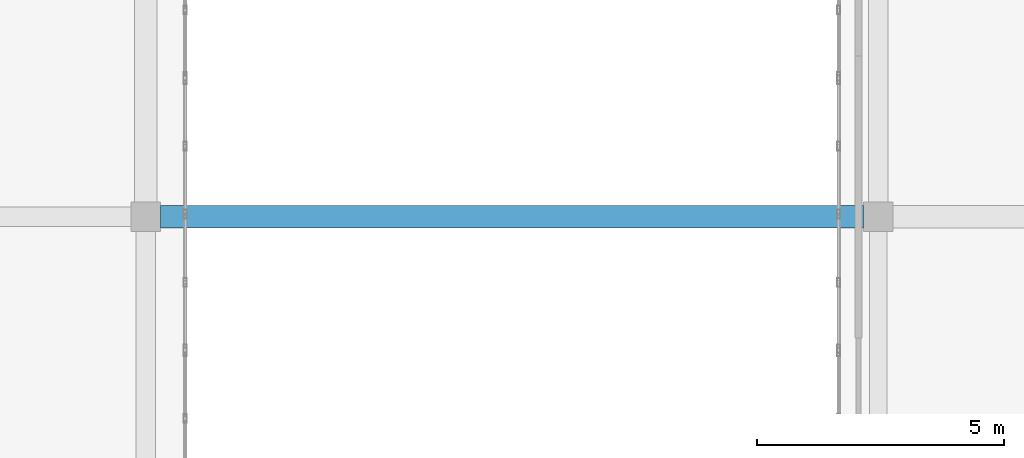
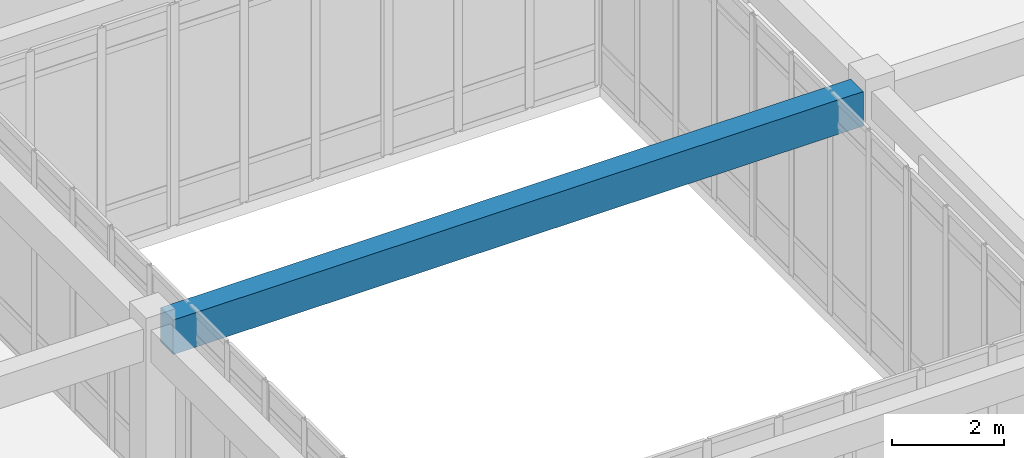
# One storey, part 52 of 121: 1 beam.
"""IFC4 building model written with IfcOpenShell, lengths in metres."""

from ifc_helpers import new_model, si_unit, direction, frame, origin, origin_2d, place, context, subcontext, project, spatial, rectangle, extrude, material, material_profile, profile_set, type_object, element, save


model = new_model("IFC4")

# Units and contexts
model_context = context("Model", 3, precision=1e-05, world=origin(), true_north=direction((0.0, 1.0)))
body_context = subcontext(model_context, "Body", "Model", "MODEL_VIEW")
ifc_project = project(units=[si_unit("LENGTHUNIT", "METRE"), si_unit("AREAUNIT", "SQUARE_METRE"), si_unit("VOLUMEUNIT", "CUBIC_METRE"), si_unit("PLANEANGLEUNIT", "RADIAN"), si_unit("MASSUNIT", "GRAM", prefix="KILO")], contexts=[model_context])

# Site, building, storey
site_placement = place(None, origin())
site = spatial("IfcSite", under=ifc_project, at=site_placement, CompositionType="ELEMENT")
building_placement = place(site_placement, origin())
building = spatial("IfcBuilding", under=site, at=building_placement, Name="Valcora Specialist Clinic", CompositionType="ELEMENT")
storey_placement = place(building_placement, origin())
storey = spatial("IfcBuildingStorey", under=building, at=storey_placement, Name="L00", CompositionType="ELEMENT", Elevation=0.0)

# Beam
ifc_material = material(Name="Concrete C40/50", Category="concrete")
ifc_material_profile = material_profile(ifc_material, rectangle(XDim=0.449951171875, YDim=0.75, at=origin_2d()), Name="RC-BM-450X750")
ifc_profile_set = profile_set([ifc_material_profile], Name="Concrete C40/50")
beam_type = type_object("IfcBeamType", Name="TY-BM-RC450X750", PredefinedType="BEAM", material=ifc_profile_set)
beam_placement = place(storey_placement, frame((76.300048828125, 90.199951171875, 4.43505859375), z_axis=(1.0, 0.0, 0.0), x_axis=(0.0, 1.0, 0.0)))
element("IfcBeam", 1, at=beam_placement, inside=storey, type_object=beam_type, Name="Beam BM-L00-0551", PredefinedType="BEAM", context=body_context, shape_type="SweptSolid", body=[
    extrude(rectangle(XDim=0.449951171875, YDim=0.75, at=origin_2d()), origin(), (0.0, 0.0, 1.0), 14.199951171875),
])

save(model, "model.ifc")
